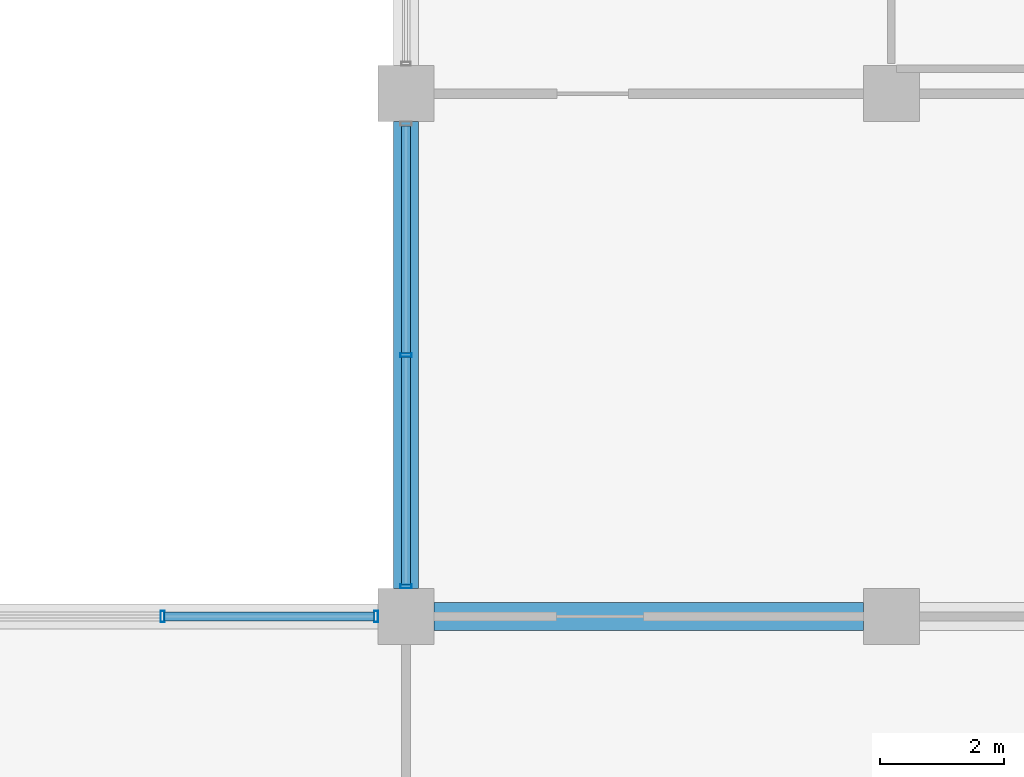
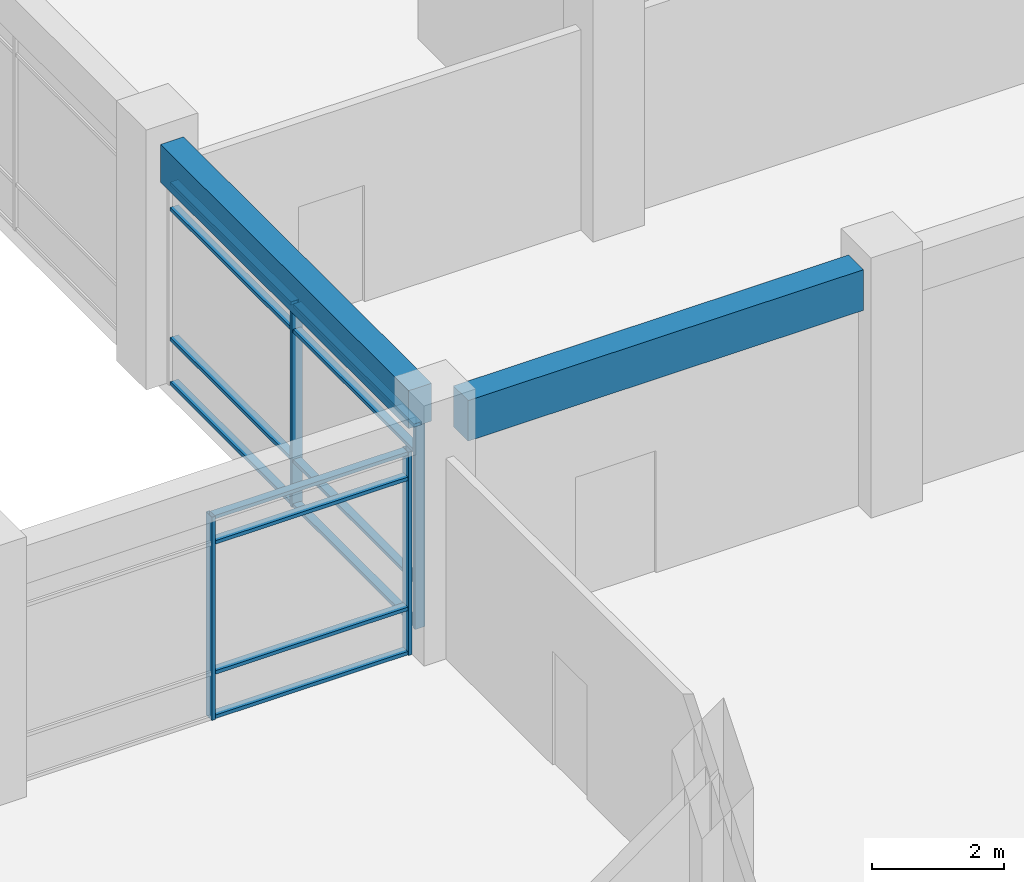
# One storey, part 23 of 79: 16 members, 2 beams, 2 elements without a shape of their own.
"""IFC4 building model written with IfcOpenShell, lengths in metres."""

from ifc_helpers import new_model, si_unit, direction, frame, origin, origin_2d, place, context, subcontext, project, spatial, rectangle, hollow_rectangle, extrude, material, material_profile, profile_set, type_object, element, aggregate, save


model = new_model("IFC4")

# Units and contexts
model_context = context("Model", 3, precision=1e-05, world=origin(), true_north=direction((0.0, 1.0)))
body_context = subcontext(model_context, "Body", "Model", "MODEL_VIEW")
ifc_project = project(units=[si_unit("LENGTHUNIT", "METRE"), si_unit("AREAUNIT", "SQUARE_METRE"), si_unit("VOLUMEUNIT", "CUBIC_METRE"), si_unit("PLANEANGLEUNIT", "RADIAN"), si_unit("MASSUNIT", "GRAM", prefix="KILO"), si_unit("THERMODYNAMICTEMPERATUREUNIT", "KELVIN"), si_unit("POWERUNIT", "WATT")], contexts=[model_context])

# Site, building, storey
site_placement = place(None, origin())
site = spatial("IfcSite", under=ifc_project, at=site_placement, CompositionType="ELEMENT")
building_placement = place(site_placement, origin())
building = spatial("IfcBuilding", under=site, at=building_placement, Name="Srebrne Nadtorze General Hospital", CompositionType="ELEMENT")
storey_placement = place(building_placement, frame((0.0, 0.0, 4.800048828125)))
storey = spatial("IfcBuildingStorey", under=building, at=storey_placement, Name="L01", CompositionType="ELEMENT", Elevation=4.800048828125)

# Curtain wall, members
ifc_material_1 = material(Name="Anodised Aluminium", Category="aluminium")
curtain_wall_type_1 = type_object("IfcCurtainWallType", Name="Unitised curtain wall 6925x3750", PredefinedType="NOTDEFINED", material=ifc_material_1)
curtain_wall_1_placement = place(storey_placement, origin())
curtain_wall_1 = element("IfcCurtainWall", 1, at=curtain_wall_1_placement, inside=storey, type_object=curtain_wall_type_1, Name="Curtain wall CW-047", PredefinedType="NOTDEFINED")
ifc_material_2 = material(Name="Anodised Aluminium", Category="aluminium")
ifc_material_profile_1 = material_profile(ifc_material_2, hollow_rectangle(XDim=0.06494140625, YDim=0.179931640625, WallThickness=0.00390625, at=origin_2d()), Name="AL-MUL-65x180")
ifc_profile_set_1 = profile_set([ifc_material_profile_1], Name="Anodised Aluminium")
member_type_1 = type_object("IfcMemberType", Name="Curtain mullion 65x180", PredefinedType="MULLION", material=ifc_profile_set_1)
member_1_placement = place(storey_placement, frame((97.487548828125, 25.199951171875, 0.0), z_axis=(0.0, 0.0, 1.0), x_axis=(1.0, 0.0, 0.0)))
member_1 = element("IfcMember", 2, at=member_1_placement, type_object=member_type_1, Name="CW-047 mullion 2", PredefinedType="MULLION", context=body_context, shape_type="SweptSolid", body=[
    extrude(hollow_rectangle(XDim=0.06494140625, YDim=0.179931640625, WallThickness=0.00390625, at=origin_2d()), origin(), (0.0, 0.0, 1.0), 3.75),
])
member_2_placement = place(storey_placement, frame((100.91748046875, 25.199951171875, 0.0), z_axis=(0.0, 0.0, 1.0), x_axis=(1.0, 0.0, 0.0)))
member_2 = element("IfcMember", 3, at=member_2_placement, type_object=member_type_1, Name="CW-047 mullion 3", PredefinedType="MULLION", context=body_context, shape_type="SweptSolid", body=[
    extrude(hollow_rectangle(XDim=0.06494140625, YDim=0.179931640625, WallThickness=0.00390625, at=origin_2d()), origin(), (0.0, 0.0, 1.0), 3.75),
])

ifc_material_3 = material(Name="Anodised Aluminium", Category="aluminium")
curtain_wall_type_2 = type_object("IfcCurtainWallType", Name="Unitised curtain wall 7500x3750", PredefinedType="NOTDEFINED", material=ifc_material_3)
curtain_wall_2_placement = place(storey_placement, origin())
curtain_wall_2 = element("IfcCurtainWall", 4, at=curtain_wall_2_placement, inside=storey, type_object=curtain_wall_type_2, Name="Curtain wall CW-059", PredefinedType="NOTDEFINED")
member_3_placement = place(storey_placement, frame((101.39990234375, 25.6826171875, 0.0), z_axis=(0.0, 0.0, 1.0), x_axis=(0.0, 1.0, 0.0)))
member_3 = element("IfcMember", 5, at=member_3_placement, type_object=member_type_1, Name="CW-059 mullion 1", PredefinedType="MULLION", context=body_context, shape_type="SweptSolid", body=[
    extrude(hollow_rectangle(XDim=0.06494140625, YDim=0.179931640625, WallThickness=0.00390625, at=origin_2d()), origin(), (0.0, 0.0, 1.0), 3.75),
])
member_4_placement = place(storey_placement, frame((101.39990234375, 29.39990234375, 0.0), z_axis=(0.0, 0.0, 1.0), x_axis=(0.0, 1.0, 0.0)))
member_4 = element("IfcMember", 6, at=member_4_placement, type_object=member_type_1, Name="CW-059 mullion 2", PredefinedType="MULLION", context=body_context, shape_type="SweptSolid", body=[
    extrude(hollow_rectangle(XDim=0.06494140625, YDim=0.179931640625, WallThickness=0.00390625, at=origin_2d()), origin(), (0.0, 0.0, 1.0), 3.75),
])

# Member
ifc_material_4 = material(Name="Anodised Aluminium", Category="aluminium")
ifc_material_profile_2 = material_profile(ifc_material_4, hollow_rectangle(XDim=0.06494140625, YDim=0.139892578125, WallThickness=0.00390625, at=origin_2d()), Name="AL-TRN-65x140")
ifc_profile_set_2 = profile_set([ifc_material_profile_2], Name="Anodised Aluminium")
member_type_2 = type_object("IfcMemberType", Name="Curtain transom 65x140", PredefinedType="USERDEFINED", material=ifc_profile_set_2)
member_5_placement = place(storey_placement, frame((97.52001953125, 25.199951171875, 0.032470703125), z_axis=(1.0, 0.0, 0.0), x_axis=(0.0, 0.0, 1.0)))
member_5 = element("IfcMember", 7, at=member_5_placement, type_object=member_type_2, Name="CW-047 transom 2.1", ObjectType="TRANSOM", PredefinedType="USERDEFINED", context=body_context, shape_type="SweptSolid", body=[
    extrude(hollow_rectangle(XDim=0.06494140625, YDim=0.139892578125, WallThickness=0.00390625, at=origin_2d()), origin(), (0.0, 0.0, 1.0), 3.364990234375),
])

member_6_placement = place(storey_placement, frame((97.52001953125, 25.199951171875, 0.849853515625), z_axis=(1.0, 0.0, 0.0), x_axis=(0.0, 0.0, 1.0)))
member_6 = element("IfcMember", 8, at=member_6_placement, type_object=member_type_2, Name="CW-047 transom 2.2", ObjectType="TRANSOM", PredefinedType="USERDEFINED", context=body_context, shape_type="SweptSolid", body=[
    extrude(hollow_rectangle(XDim=0.06494140625, YDim=0.139892578125, WallThickness=0.00390625, at=origin_2d()), origin(), (0.0, 0.0, 1.0), 3.364990234375),
])

member_7_placement = place(storey_placement, frame((97.52001953125, 25.199951171875, 3.25), z_axis=(1.0, 0.0, 0.0), x_axis=(0.0, 0.0, 1.0)))
member_7 = element("IfcMember", 9, at=member_7_placement, type_object=member_type_2, Name="CW-047 transom 2.3", ObjectType="TRANSOM", PredefinedType="USERDEFINED", context=body_context, shape_type="SweptSolid", body=[
    extrude(hollow_rectangle(XDim=0.06494140625, YDim=0.139892578125, WallThickness=0.00390625, at=origin_2d()), origin(), (0.0, 0.0, 1.0), 3.364990234375),
])

member_8_placement = place(storey_placement, frame((97.52001953125, 25.199951171875, 3.717529296875), z_axis=(1.0, 0.0, 0.0), x_axis=(0.0, 0.0, 1.0)))
member_8 = element("IfcMember", 10, at=member_8_placement, type_object=member_type_2, Name="CW-047 transom 2.4", ObjectType="TRANSOM", PredefinedType="USERDEFINED", context=body_context, shape_type="SweptSolid", body=[
    extrude(hollow_rectangle(XDim=0.06494140625, YDim=0.139892578125, WallThickness=0.00390625, at=origin_2d()), origin(), (0.0, 0.0, 1.0), 3.364990234375),
])

aggregate(curtain_wall_1, [member_1, member_2, member_5, member_6, member_7, member_8])

member_9_placement = place(storey_placement, frame((101.39990234375, 25.715087890625, 0.032470703125), z_axis=(0.0, 1.0, 0.0), x_axis=(0.0, 0.0, 1.0)))
member_9 = element("IfcMember", 11, at=member_9_placement, type_object=member_type_2, Name="CW-059 transom 1.1", ObjectType="TRANSOM", PredefinedType="USERDEFINED", context=body_context, shape_type="SweptSolid", body=[
    extrude(hollow_rectangle(XDim=0.06494140625, YDim=0.139892578125, WallThickness=0.00390625, at=origin_2d()), origin(), (0.0, 0.0, 1.0), 3.65234375),
])

member_10_placement = place(storey_placement, frame((101.39990234375, 25.715087890625, 0.849853515625), z_axis=(0.0, 1.0, 0.0), x_axis=(0.0, 0.0, 1.0)))
member_10 = element("IfcMember", 12, at=member_10_placement, type_object=member_type_2, Name="CW-059 transom 1.2", ObjectType="TRANSOM", PredefinedType="USERDEFINED", context=body_context, shape_type="SweptSolid", body=[
    extrude(hollow_rectangle(XDim=0.06494140625, YDim=0.139892578125, WallThickness=0.00390625, at=origin_2d()), origin(), (0.0, 0.0, 1.0), 3.65234375),
])

member_11_placement = place(storey_placement, frame((101.39990234375, 25.715087890625, 3.25), z_axis=(0.0, 1.0, 0.0), x_axis=(0.0, 0.0, 1.0)))
member_11 = element("IfcMember", 13, at=member_11_placement, type_object=member_type_2, Name="CW-059 transom 1.3", ObjectType="TRANSOM", PredefinedType="USERDEFINED", context=body_context, shape_type="SweptSolid", body=[
    extrude(hollow_rectangle(XDim=0.06494140625, YDim=0.139892578125, WallThickness=0.00390625, at=origin_2d()), origin(), (0.0, 0.0, 1.0), 3.65234375),
])

member_12_placement = place(storey_placement, frame((101.39990234375, 25.715087890625, 3.717529296875), z_axis=(0.0, 1.0, 0.0), x_axis=(0.0, 0.0, 1.0)))
member_12 = element("IfcMember", 14, at=member_12_placement, type_object=member_type_2, Name="CW-059 transom 1.4", ObjectType="TRANSOM", PredefinedType="USERDEFINED", context=body_context, shape_type="SweptSolid", body=[
    extrude(hollow_rectangle(XDim=0.06494140625, YDim=0.139892578125, WallThickness=0.00390625, at=origin_2d()), origin(), (0.0, 0.0, 1.0), 3.65234375),
])

member_13_placement = place(storey_placement, frame((101.39990234375, 29.4326171875, 0.032470703125), z_axis=(0.0, 1.0, 0.0), x_axis=(0.0, 0.0, 1.0)))
member_13 = element("IfcMember", 15, at=member_13_placement, type_object=member_type_2, Name="CW-059 transom 2.1", ObjectType="TRANSOM", PredefinedType="USERDEFINED", context=body_context, shape_type="SweptSolid", body=[
    extrude(hollow_rectangle(XDim=0.06494140625, YDim=0.139892578125, WallThickness=0.00390625, at=origin_2d()), origin(), (0.0, 0.0, 1.0), 3.65234375),
])

member_14_placement = place(storey_placement, frame((101.39990234375, 29.4326171875, 0.849853515625), z_axis=(0.0, 1.0, 0.0), x_axis=(0.0, 0.0, 1.0)))
member_14 = element("IfcMember", 16, at=member_14_placement, type_object=member_type_2, Name="CW-059 transom 2.2", ObjectType="TRANSOM", PredefinedType="USERDEFINED", context=body_context, shape_type="SweptSolid", body=[
    extrude(hollow_rectangle(XDim=0.06494140625, YDim=0.139892578125, WallThickness=0.00390625, at=origin_2d()), origin(), (0.0, 0.0, 1.0), 3.65234375),
])

member_15_placement = place(storey_placement, frame((101.39990234375, 29.4326171875, 3.25), z_axis=(0.0, 1.0, 0.0), x_axis=(0.0, 0.0, 1.0)))
member_15 = element("IfcMember", 17, at=member_15_placement, type_object=member_type_2, Name="CW-059 transom 2.3", ObjectType="TRANSOM", PredefinedType="USERDEFINED", context=body_context, shape_type="SweptSolid", body=[
    extrude(hollow_rectangle(XDim=0.06494140625, YDim=0.139892578125, WallThickness=0.00390625, at=origin_2d()), origin(), (0.0, 0.0, 1.0), 3.65234375),
])

member_16_placement = place(storey_placement, frame((101.39990234375, 29.4326171875, 3.717529296875), z_axis=(0.0, 1.0, 0.0), x_axis=(0.0, 0.0, 1.0)))
member_16 = element("IfcMember", 18, at=member_16_placement, type_object=member_type_2, Name="CW-059 transom 2.4", ObjectType="TRANSOM", PredefinedType="USERDEFINED", context=body_context, shape_type="SweptSolid", body=[
    extrude(hollow_rectangle(XDim=0.06494140625, YDim=0.139892578125, WallThickness=0.00390625, at=origin_2d()), origin(), (0.0, 0.0, 1.0), 3.65234375),
])

aggregate(curtain_wall_2, [member_3, member_4, member_9, member_10, member_11, member_12, member_13, member_14, member_15, member_16])

# Beams
ifc_material_5 = material(Name="Concrete C40/50", Category="concrete")
ifc_material_profile_3 = material_profile(ifc_material_5, rectangle(XDim=0.39990234375, YDim=0.699951171875, at=origin_2d()), Name="RC-BM-400x700")
ifc_profile_set_3 = profile_set([ifc_material_profile_3], Name="Concrete C40/50")
beam_type_1 = type_object("IfcBeamType", Name="Edge beam RC 400x700", PredefinedType="BEAM", material=ifc_profile_set_3)
beam_1_placement = place(storey_placement, frame((101.39990234375, 25.64990234375, 4.099853515625), z_axis=(0.0, 1.0, 0.0), x_axis=(-1.0, 0.0, 0.0)))
element("IfcBeam", 19, at=beam_1_placement, inside=storey, type_object=beam_type_1, Name="Beam BM-L01-Y-0509", PredefinedType="BEAM", context=body_context, shape_type="SweptSolid", body=[
    extrude(rectangle(XDim=0.39990234375, YDim=0.699951171875, at=origin_2d()), origin(), (0.0, 0.0, 1.0), 7.5),
])
ifc_material_6 = material(Name="Concrete C40/50", Category="concrete")
ifc_material_profile_4 = material_profile(ifc_material_6, rectangle(XDim=0.449951171875, YDim=0.75, at=origin_2d()), Name="RC-BM-450x750")
ifc_profile_set_4 = profile_set([ifc_material_profile_4], Name="Concrete C40/50")
beam_type_2 = type_object("IfcBeamType", Name="Primary beam RC 450x750", PredefinedType="BEAM", material=ifc_profile_set_4)
beam_2_placement = place(storey_placement, frame((101.85009765625, 25.199951171875, 4.074951171875), z_axis=(1.0, 0.0, 0.0), x_axis=(0.0, 1.0, 0.0)))
element("IfcBeam", 20, at=beam_2_placement, inside=storey, type_object=beam_type_2, Name="Beam BM-L01-X-0394", PredefinedType="BEAM", context=body_context, shape_type="SweptSolid", body=[
    extrude(rectangle(XDim=0.449951171875, YDim=0.75, at=origin_2d()), origin(), (0.0, 0.0, 1.0), 6.89990234375),
])

save(model, "model.ifc")
